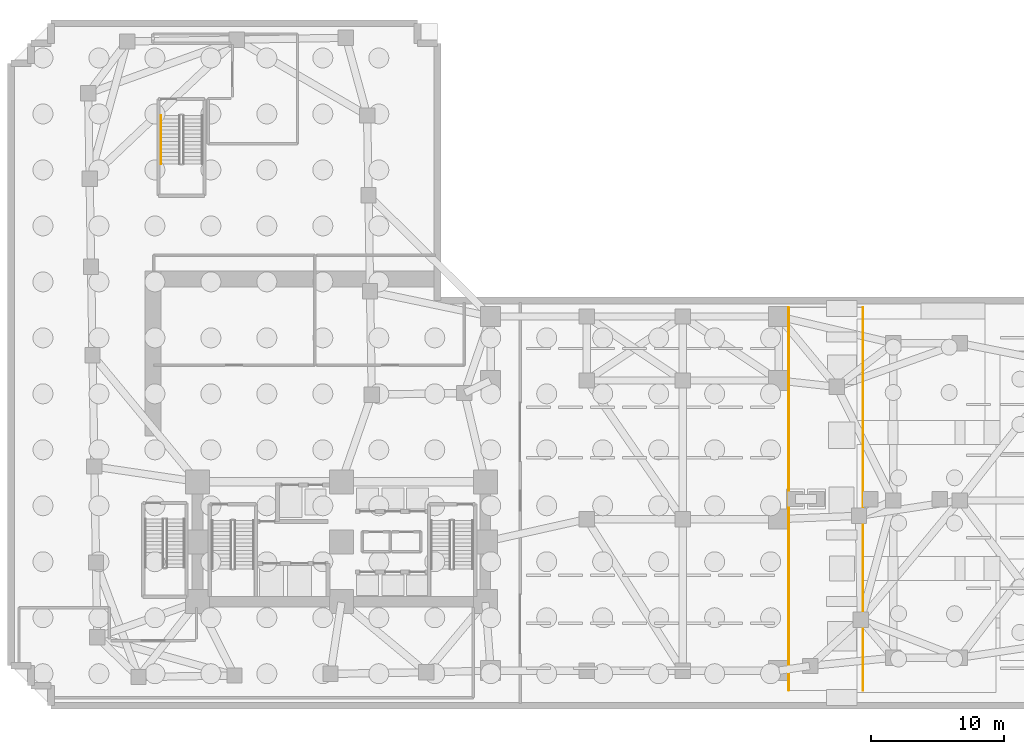
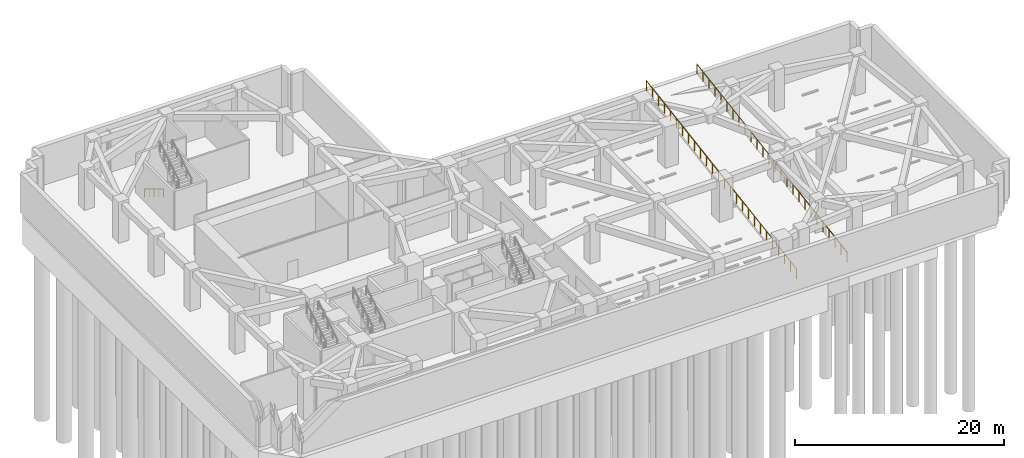
# One storey, part 9 of 11: 3 railings.
"""IFC4 building model written with IfcOpenShell, lengths in metres."""

from ifc_helpers import new_model, si_unit, direction, frame, origin, origin_2d, place, context, subcontext, project, spatial, circle, extrude, material, type_object, element, save


model = new_model("IFC4")

# Units and contexts
model_context = context("Model", 3, precision=1e-05, world=origin(), true_north=direction((0.0, 1.0)))
body_context = subcontext(model_context, "Body", "Model", "MODEL_VIEW")
ifc_project = project(units=[si_unit("LENGTHUNIT", "METRE"), si_unit("AREAUNIT", "SQUARE_METRE"), si_unit("VOLUMEUNIT", "CUBIC_METRE"), si_unit("PLANEANGLEUNIT", "RADIAN"), si_unit("MASSUNIT", "GRAM", prefix="KILO")], contexts=[model_context])

# Site, building, storey
site_placement = place(None, origin())
site = spatial("IfcSite", under=ifc_project, at=site_placement, CompositionType="ELEMENT")
building_placement = place(site_placement, origin())
building = spatial("IfcBuilding", under=site, at=building_placement, Name="Gaonmaruhae Medical Tower", CompositionType="ELEMENT")
storey_placement = place(building_placement, frame((0.0, 0.0, -9.60009765625)))
storey = spatial("IfcBuildingStorey", under=building, at=storey_placement, Name="B02", CompositionType="ELEMENT", Elevation=-9.60009765625)

# Railings
ifc_material_1 = material(Name="Stainless steel 304 handrail", Category="steel")
railing_type_1 = type_object("IfcRailingType", Name="HR-092 Continuous Stainless Steel Stair Handrail", PredefinedType="HANDRAIL", material=ifc_material_1)
railing_1_placement = place(storey_placement, frame((11.25, 44.300048828125, 0.171630859375)))
element("IfcRailing", 1, at=railing_1_placement, inside=storey, type_object=railing_type_1, Name="B02 ST-05 stair handrail 1", PredefinedType="HANDRAIL", context=body_context, shape_type="SweptSolid", body=[
    extrude(circle(Radius=0.02392578125, at=origin_2d()), frame((0.0, 0.0, 0.8759765625), z_axis=(0.0, -0.852865859571, 0.52213008492), x_axis=(1.0, 0.0, 0.0)), (0.0, 0.0, 1.0), 4.26806640625),
    extrude(circle(Radius=0.02099609375, at=origin_2d()), origin(), (0.0, 0.0, 1.0), 0.851806640625),
    extrude(circle(Radius=0.02099609375, at=origin_2d()), frame((0.0, -0.91015625, 0.55712890625)), (0.0, 0.0, 1.0), 0.851806640625),
    extrude(circle(Radius=0.02099609375, at=origin_2d()), frame((0.0, -1.820068359375, 1.1142578125)), (0.0, 0.0, 1.0), 0.851806640625),
    extrude(circle(Radius=0.02099609375, at=origin_2d()), frame((0.0, -2.72998046875, 1.67138671875)), (0.0, 0.0, 1.0), 0.851806640625),
    extrude(circle(Radius=0.02099609375, at=origin_2d()), frame((0.0, -3.64013671875, 2.228515625)), (0.0, 0.0, 1.0), 0.851806640625),
])
ifc_material_2 = material(Name="Stainless steel 304 balustrade", Category="steel")
railing_type_2 = type_object("IfcRailingType", Name="SG-112 Stair Well & Ramp Void Safety Balustrade", PredefinedType="BALUSTRADE", material=ifc_material_2)
railing_2_placement = place(storey_placement, frame((58.360107421875, 1.14990234375, 0.2451171875)))
element("IfcRailing", 2, at=railing_2_placement, inside=storey, type_object=railing_type_2, Name="B02 Vehicle Ramp VR1 West Safety Guard", PredefinedType="BALUSTRADE", context=body_context, shape_type="SweptSolid", body=[
    extrude(circle(Radius=0.02392578125, at=origin_2d()), frame((0.0, 0.0, 1.17578125), z_axis=(0.0, 0.987681890882, 0.156475181492), x_axis=(-1.0, 0.0, 0.0)), (0.0, 0.0, 1.0), 29.078369140625),
    extrude(circle(Radius=0.02099609375, at=origin_2d()), origin(), (0.0, 0.0, 1.0), 1.15185546875),
    extrude(circle(Radius=0.02099609375, at=origin_2d()), frame((0.0, 1.14892578125, 0.181884765625)), (0.0, 0.0, 1.0), 1.15185546875),
    extrude(circle(Radius=0.02099609375, at=origin_2d()), frame((0.0, 2.297607421875, 0.364013671875)), (0.0, 0.0, 1.0), 1.15185546875),
    extrude(circle(Radius=0.02099609375, at=origin_2d()), frame((0.0, 3.446533203125, 0.5458984375)), (0.0, 0.0, 1.0), 1.15185546875),
    extrude(circle(Radius=0.02099609375, at=origin_2d()), frame((0.0, 4.59521484375, 0.72802734375)), (0.0, 0.0, 1.0), 1.15185546875),
    extrude(circle(Radius=0.02099609375, at=origin_2d()), frame((0.0, 5.744140625, 0.909912109375)), (0.0, 0.0, 1.0), 1.15185546875),
    extrude(circle(Radius=0.02099609375, at=origin_2d()), frame((0.0, 6.892822265625, 1.092041015625)), (0.0, 0.0, 1.0), 1.15185546875),
    extrude(circle(Radius=0.02099609375, at=origin_2d()), frame((0.0, 8.041748046875, 1.27392578125)), (0.0, 0.0, 1.0), 1.15185546875),
    extrude(circle(Radius=0.02099609375, at=origin_2d()), frame((0.0, 9.1904296875, 1.4560546875)), (0.0, 0.0, 1.0), 1.15185546875),
    extrude(circle(Radius=0.02099609375, at=origin_2d()), frame((0.0, 10.33935546875, 1.637939453125)), (0.0, 0.0, 1.0), 1.15185546875),
    extrude(circle(Radius=0.02099609375, at=origin_2d()), frame((0.0, 11.488037109375, 1.820068359375)), (0.0, 0.0, 1.0), 1.15185546875),
    extrude(circle(Radius=0.02099609375, at=origin_2d()), frame((0.0, 12.636962890625, 2.001953125)), (0.0, 0.0, 1.0), 1.15185546875),
    extrude(circle(Radius=0.02099609375, at=origin_2d()), frame((0.0, 13.78564453125, 2.18408203125)), (0.0, 0.0, 1.0), 1.15185546875),
    extrude(circle(Radius=0.02099609375, at=origin_2d()), frame((0.0, 14.9345703125, 2.365966796875)), (0.0, 0.0, 1.0), 1.15185546875),
    extrude(circle(Radius=0.02099609375, at=origin_2d()), frame((0.0, 16.083251953125, 2.548095703125)), (0.0, 0.0, 1.0), 1.15185546875),
    extrude(circle(Radius=0.02099609375, at=origin_2d()), frame((0.0, 17.232177734375, 2.72998046875)), (0.0, 0.0, 1.0), 1.15185546875),
    extrude(circle(Radius=0.02099609375, at=origin_2d()), frame((0.0, 18.380859375, 2.912109375)), (0.0, 0.0, 1.0), 1.15185546875),
    extrude(circle(Radius=0.02099609375, at=origin_2d()), frame((0.0, 19.52978515625, 3.093994140625)), (0.0, 0.0, 1.0), 1.15185546875),
    extrude(circle(Radius=0.02099609375, at=origin_2d()), frame((0.0, 20.678466796875, 3.276123046875)), (0.0, 0.0, 1.0), 1.15185546875),
    extrude(circle(Radius=0.02099609375, at=origin_2d()), frame((0.0, 21.827392578125, 3.4580078125)), (0.0, 0.0, 1.0), 1.15185546875),
    extrude(circle(Radius=0.02099609375, at=origin_2d()), frame((0.0, 22.97607421875, 3.64013671875)), (0.0, 0.0, 1.0), 1.15185546875),
    extrude(circle(Radius=0.02099609375, at=origin_2d()), frame((0.0, 24.125, 3.822021484375)), (0.0, 0.0, 1.0), 1.15185546875),
    extrude(circle(Radius=0.02099609375, at=origin_2d()), frame((0.0, 25.273681640625, 4.004150390625)), (0.0, 0.0, 1.0), 1.15185546875),
    extrude(circle(Radius=0.02099609375, at=origin_2d()), frame((0.0, 26.422607421875, 4.18603515625)), (0.0, 0.0, 1.0), 1.15185546875),
    extrude(circle(Radius=0.02099609375, at=origin_2d()), frame((0.0, 27.5712890625, 4.3681640625)), (0.0, 0.0, 1.0), 1.15185546875),
    extrude(circle(Radius=0.02099609375, at=origin_2d()), frame((0.0, 28.72021484375, 4.550048828125)), (0.0, 0.0, 1.0), 1.15185546875),
])
railing_3_placement = place(storey_placement, frame((63.93994140625, 1.14990234375, 0.2451171875)))
element("IfcRailing", 3, at=railing_3_placement, inside=storey, type_object=railing_type_2, Name="B02 Vehicle Ramp VR1 East Safety Guard", PredefinedType="BALUSTRADE", context=body_context, shape_type="SweptSolid", body=[
    extrude(circle(Radius=0.02392578125, at=origin_2d()), frame((0.0, 0.0, 1.17578125), z_axis=(0.0, 0.987681890882, 0.156475181492), x_axis=(-1.0, 0.0, 0.0)), (0.0, 0.0, 1.0), 29.078369140625),
    extrude(circle(Radius=0.02099609375, at=origin_2d()), origin(), (0.0, 0.0, 1.0), 1.15185546875),
    extrude(circle(Radius=0.02099609375, at=origin_2d()), frame((0.0, 1.14892578125, 0.181884765625)), (0.0, 0.0, 1.0), 1.15185546875),
    extrude(circle(Radius=0.02099609375, at=origin_2d()), frame((0.0, 2.297607421875, 0.364013671875)), (0.0, 0.0, 1.0), 1.15185546875),
    extrude(circle(Radius=0.02099609375, at=origin_2d()), frame((0.0, 3.446533203125, 0.5458984375)), (0.0, 0.0, 1.0), 1.15185546875),
    extrude(circle(Radius=0.02099609375, at=origin_2d()), frame((0.0, 4.59521484375, 0.72802734375)), (0.0, 0.0, 1.0), 1.15185546875),
    extrude(circle(Radius=0.02099609375, at=origin_2d()), frame((0.0, 5.744140625, 0.909912109375)), (0.0, 0.0, 1.0), 1.15185546875),
    extrude(circle(Radius=0.02099609375, at=origin_2d()), frame((0.0, 6.892822265625, 1.092041015625)), (0.0, 0.0, 1.0), 1.15185546875),
    extrude(circle(Radius=0.02099609375, at=origin_2d()), frame((0.0, 8.041748046875, 1.27392578125)), (0.0, 0.0, 1.0), 1.15185546875),
    extrude(circle(Radius=0.02099609375, at=origin_2d()), frame((0.0, 9.1904296875, 1.4560546875)), (0.0, 0.0, 1.0), 1.15185546875),
    extrude(circle(Radius=0.02099609375, at=origin_2d()), frame((0.0, 10.33935546875, 1.637939453125)), (0.0, 0.0, 1.0), 1.15185546875),
    extrude(circle(Radius=0.02099609375, at=origin_2d()), frame((0.0, 11.488037109375, 1.820068359375)), (0.0, 0.0, 1.0), 1.15185546875),
    extrude(circle(Radius=0.02099609375, at=origin_2d()), frame((0.0, 12.636962890625, 2.001953125)), (0.0, 0.0, 1.0), 1.15185546875),
    extrude(circle(Radius=0.02099609375, at=origin_2d()), frame((0.0, 13.78564453125, 2.18408203125)), (0.0, 0.0, 1.0), 1.15185546875),
    extrude(circle(Radius=0.02099609375, at=origin_2d()), frame((0.0, 14.9345703125, 2.365966796875)), (0.0, 0.0, 1.0), 1.15185546875),
    extrude(circle(Radius=0.02099609375, at=origin_2d()), frame((0.0, 16.083251953125, 2.548095703125)), (0.0, 0.0, 1.0), 1.15185546875),
    extrude(circle(Radius=0.02099609375, at=origin_2d()), frame((0.0, 17.232177734375, 2.72998046875)), (0.0, 0.0, 1.0), 1.15185546875),
    extrude(circle(Radius=0.02099609375, at=origin_2d()), frame((0.0, 18.380859375, 2.912109375)), (0.0, 0.0, 1.0), 1.15185546875),
    extrude(circle(Radius=0.02099609375, at=origin_2d()), frame((0.0, 19.52978515625, 3.093994140625)), (0.0, 0.0, 1.0), 1.15185546875),
    extrude(circle(Radius=0.02099609375, at=origin_2d()), frame((0.0, 20.678466796875, 3.276123046875)), (0.0, 0.0, 1.0), 1.15185546875),
    extrude(circle(Radius=0.02099609375, at=origin_2d()), frame((0.0, 21.827392578125, 3.4580078125)), (0.0, 0.0, 1.0), 1.15185546875),
    extrude(circle(Radius=0.02099609375, at=origin_2d()), frame((0.0, 22.97607421875, 3.64013671875)), (0.0, 0.0, 1.0), 1.15185546875),
    extrude(circle(Radius=0.02099609375, at=origin_2d()), frame((0.0, 24.125, 3.822021484375)), (0.0, 0.0, 1.0), 1.15185546875),
    extrude(circle(Radius=0.02099609375, at=origin_2d()), frame((0.0, 25.273681640625, 4.004150390625)), (0.0, 0.0, 1.0), 1.15185546875),
    extrude(circle(Radius=0.02099609375, at=origin_2d()), frame((0.0, 26.422607421875, 4.18603515625)), (0.0, 0.0, 1.0), 1.15185546875),
    extrude(circle(Radius=0.02099609375, at=origin_2d()), frame((0.0, 27.5712890625, 4.3681640625)), (0.0, 0.0, 1.0), 1.15185546875),
    extrude(circle(Radius=0.02099609375, at=origin_2d()), frame((0.0, 28.72021484375, 4.550048828125)), (0.0, 0.0, 1.0), 1.15185546875),
])

save(model, "model.ifc")
